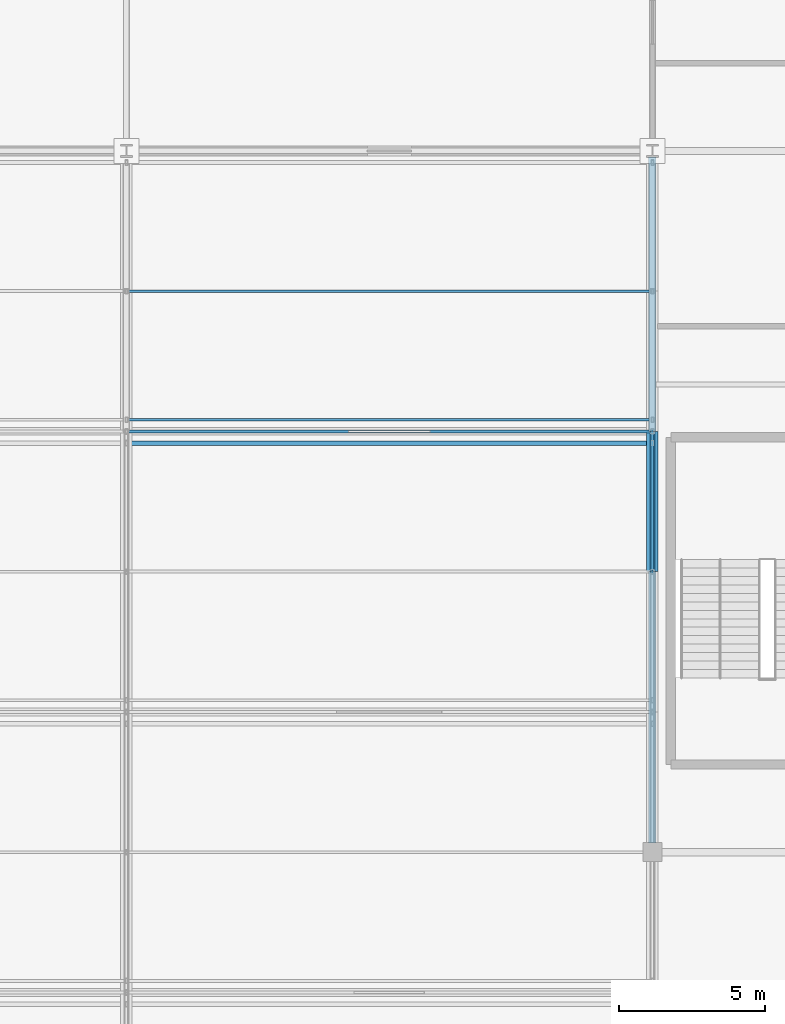
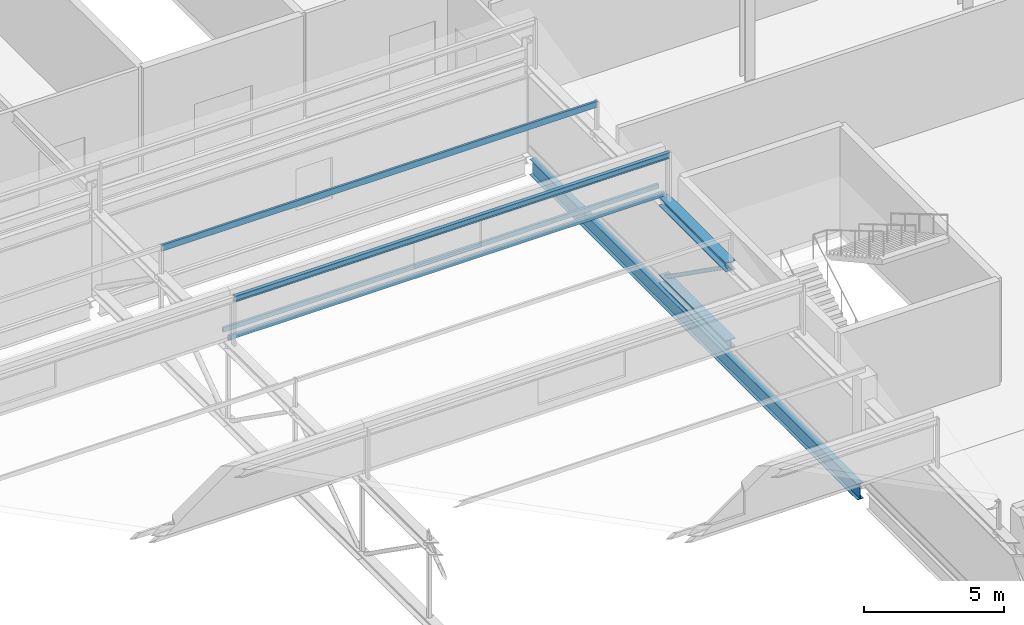
# One storey, part 71 of 136: 5 members, 3 beams.
"""IFC4 building model written with IfcOpenShell, lengths in metres."""

from ifc_helpers import new_model, si_unit, direction, frame, origin, origin_2d, place, context, subcontext, project, spatial, hollow_rectangle, hollow_circle, i_section, u_section, extrude, material, material_profile, profile_set, type_object, element, save


model = new_model("IFC4")

# Units and contexts
model_context = context("Model", 3, precision=1e-05, world=origin(), true_north=direction((0.0, 1.0)))
body_context = subcontext(model_context, "Body", "Model", "MODEL_VIEW")
ifc_project = project(units=[si_unit("LENGTHUNIT", "METRE"), si_unit("AREAUNIT", "SQUARE_METRE"), si_unit("VOLUMEUNIT", "CUBIC_METRE"), si_unit("PLANEANGLEUNIT", "RADIAN"), si_unit("MASSUNIT", "GRAM", prefix="KILO")], contexts=[model_context])

# Site, building, storey
site_placement = place(None, origin())
site = spatial("IfcSite", under=ifc_project, at=site_placement, CompositionType="ELEMENT")
building_placement = place(site_placement, origin())
building = spatial("IfcBuilding", under=site, at=building_placement, Name="Kisiwana Market Hall", CompositionType="ELEMENT")
storey_placement = place(building_placement, frame((0.0, 0.0, 16.800048828125)))
storey = spatial("IfcBuildingStorey", under=building, at=storey_placement, Name="L03", CompositionType="ELEMENT", Elevation=16.800048828125)

# Beams
ifc_material_1 = material(Name="Steel S355", Category="steel")
ifc_material_profile_1 = material_profile(ifc_material_1, i_section(OverallWidth=0.253662109375, OverallDepth=0.68359375, WebThickness=0.012451171875, FlangeThickness=0.01904296875, at=origin_2d()), Name="UB 686x254x140")
ifc_profile_set_1 = profile_set([ifc_material_profile_1], Name="Steel S355")
beam_type_1 = type_object("IfcBeamType", Name="BM-GIRD-UB686", PredefinedType="BEAM", material=ifc_profile_set_1)
beam_1_placement = place(storey_placement, frame((153.0, 60.321044921875, -0.591796875), z_axis=(0.0, 1.0, 0.0), x_axis=(-1.0, 0.0, 0.0)))
element("IfcBeam", 1, at=beam_1_placement, inside=storey, type_object=beam_type_1, Name="Floor beam B-1090", PredefinedType="BEAM", context=body_context, shape_type="SweptSolid", body=[
    extrude(i_section(OverallWidth=0.253662109375, OverallDepth=0.68359375, WebThickness=0.012451171875, FlangeThickness=0.01904296875, at=origin_2d()), origin(), (0.0, 0.0, 1.0), 23.465576171875),
])
ifc_material_2 = material(Name="Steel S355", Category="steel")
ifc_material_profile_2 = material_profile(ifc_material_2, i_section(OverallWidth=0.394775390625, OverallDepth=0.381103515625, WebThickness=0.018310546875, FlangeThickness=0.0302734375, at=origin_2d()), Name="UC 356x406x235")
ifc_profile_set_2 = profile_set([ifc_material_profile_2], Name="Steel S355")
beam_type_2 = type_object("IfcBeamType", Name="BM-TRUSS-BOT", PredefinedType="USERDEFINED", material=ifc_profile_set_2)
beam_2_placement = place(storey_placement, frame((153.0, 69.60009765625, 0.22998046875), z_axis=(0.0, 1.0, 0.0), x_axis=(-1.0, 0.0, 0.0)))
element("IfcBeam", 2, at=beam_2_placement, inside=storey, type_object=beam_type_2, Name="TR-08 BC panel 8 B-1325", ObjectType="ROOF TRUSS", PredefinedType="USERDEFINED", context=body_context, shape_type="SweptSolid", body=[
    extrude(i_section(OverallWidth=0.394775390625, OverallDepth=0.381103515625, WebThickness=0.018310546875, FlangeThickness=0.0302734375, at=origin_2d()), origin(), (0.0, 0.0, 1.0), 4.7998046875),
])
ifc_material_3 = material(Name="Steel S355", Category="steel")
ifc_material_profile_3 = material_profile(ifc_material_3, i_section(OverallWidth=0.39892578125, OverallDepth=0.3935546875, WebThickness=0.022705078125, FlangeThickness=0.03662109375, at=origin_2d()), Name="UC 356x406x287")
ifc_profile_set_3 = profile_set([ifc_material_profile_3], Name="Steel S355")
beam_type_3 = type_object("IfcBeamType", Name="BM-TRUSS-TOP", PredefinedType="USERDEFINED", material=ifc_profile_set_3)
beam_3_placement = place(storey_placement, frame((153.0, 69.60009765625, 3.619873046875), z_axis=(0.0, 1.0, 0.0), x_axis=(-1.0, 0.0, 0.0)))
element("IfcBeam", 3, at=beam_3_placement, inside=storey, type_object=beam_type_3, Name="TR-08 TC panel 8 B-1335", ObjectType="ROOF TRUSS", PredefinedType="USERDEFINED", context=body_context, shape_type="SweptSolid", body=[
    extrude(i_section(OverallWidth=0.39892578125, OverallDepth=0.3935546875, WebThickness=0.022705078125, FlangeThickness=0.03662109375, at=origin_2d()), origin(), (0.0, 0.0, 1.0), 4.7998046875),
])

# Members
ifc_material_4 = material(Name="Steel S355", Category="steel")
ifc_material_profile_4 = material_profile(ifc_material_4, u_section(Depth=0.260009765625, FlangeWidth=0.090087890625, WebThickness=0.008056640625, FlangeThickness=0.013916015625, at=origin_2d()), Name="PFC 260x90x35")
ifc_profile_set_4 = profile_set([ifc_material_profile_4], Name="Steel S355")
member_type_1 = type_object("IfcMemberType", Name="MB-PURL-PFC260", PredefinedType="PURLIN", material=ifc_profile_set_4)
member_1_placement = place(storey_placement, frame((135.0, 79.199951171875, 4.90625), z_axis=(1.0, 0.0, 0.0), x_axis=(0.0, 1.0, 0.0)))
element("IfcMember", 4, at=member_1_placement, inside=storey, type_object=member_type_1, Name="Sawtooth mid-slope roof purlin 73 M-0125", PredefinedType="PURLIN", context=body_context, shape_type="SweptSolid", body=[
    extrude(u_section(Depth=0.260009765625, FlangeWidth=0.090087890625, WebThickness=0.008056640625, FlangeThickness=0.013916015625, at=origin_2d()), origin(), (0.0, 0.0, 1.0), 18.0),
])
ifc_material_5 = material(Name="Steel S355", Category="steel")
ifc_material_profile_5 = material_profile(ifc_material_5, hollow_rectangle(XDim=0.10009765625, YDim=0.199951171875, WallThickness=0.008056640625, at=origin_2d()), Name="RHS 200x100x8.0")
ifc_profile_set_5 = profile_set([ifc_material_profile_5], Name="Steel S355")
member_type_2 = type_object("IfcMemberType", Name="MB-ROOF-PURLIN1", PredefinedType="PURLIN", material=ifc_profile_set_5)
for number, where, z_axis, x_axis, name in (
    (5, (135.0, 74.39990234375, 3.90087890625), (1.0, 0.0, 0.0), (0.0, 1.0, 0.0), "Sawtooth roof purlin 332 M-0209"),
    (6, (135.0, 74.800048828125, 4.0009765625), (1.0, 0.0, 0.0), (0.0, 1.0, 0.0), "Sawtooth roof purlin 361 M-0222"),
):
    element("IfcMember", number, at=place(storey_placement, frame(where, z_axis=z_axis, x_axis=x_axis)), inside=storey, type_object=member_type_2, Name=name, PredefinedType="PURLIN", context=body_context, shape_type="SweptSolid", body=[
        extrude(hollow_rectangle(XDim=0.10009765625, YDim=0.199951171875, WallThickness=0.008056640625, at=origin_2d()), origin(), (0.0, 0.0, 1.0), 18.0),
    ])
ifc_material_6 = material(Name="Steel S355", Category="steel")
ifc_material_profile_6 = material_profile(ifc_material_6, i_section(OverallWidth=0.146484375, OverallDepth=0.256103515625, WebThickness=0.00634765625, FlangeThickness=0.010986328125, at=origin_2d()), Name="UB 254x146x37")
ifc_profile_set_6 = profile_set([ifc_material_profile_6], Name="Steel S355")
member_type_3 = type_object("IfcMemberType", Name="MB-ROOF-PURLIN2", PredefinedType="PURLIN", material=ifc_profile_set_6)
member_2_placement = place(storey_placement, frame((135.0, 74.0, 5.843505859375), z_axis=(1.0, 0.0, 0.0), x_axis=(0.0, 1.0, 0.0)))
element("IfcMember", 7, at=member_2_placement, inside=storey, type_object=member_type_3, Name="Sawtooth roof purlin 331 M-0208", PredefinedType="PURLIN", context=body_context, shape_type="SweptSolid", body=[
    extrude(i_section(OverallWidth=0.146484375, OverallDepth=0.256103515625, WebThickness=0.00634765625, FlangeThickness=0.010986328125, at=origin_2d()), origin(), (0.0, 0.0, 1.0), 18.0),
])
ifc_material_7 = material(Name="Steel S355", Category="steel")
ifc_material_profile_7 = material_profile(ifc_material_7, hollow_circle(Radius=0.084228515625, WallThickness=0.010009765625, at=origin_2d()), Name="CHS 168.3x10.0")
ifc_profile_set_7 = profile_set([ifc_material_profile_7], Name="Steel S355")
member_type_4 = type_object("IfcMemberType", Name="MB-TR-DIAG168", PredefinedType="BRACE", material=ifc_profile_set_7)
member_3_placement = place(storey_placement, frame((153.0, 69.60009765625, 3.619873046875), z_axis=(0.0, 0.816823908826, -0.576887079046), x_axis=(-1.0, 0.0, 0.0)))
element("IfcMember", 8, at=member_3_placement, inside=storey, type_object=member_type_4, Name="TR-08 diagonal 8 M-0476", PredefinedType="BRACE", context=body_context, shape_type="SweptSolid", body=[
    extrude(hollow_circle(Radius=0.084228515625, WallThickness=0.010009765625, at=origin_2d()), origin(), (0.0, 0.0, 1.0), 5.876220703125),
])

save(model, "model.ifc")
